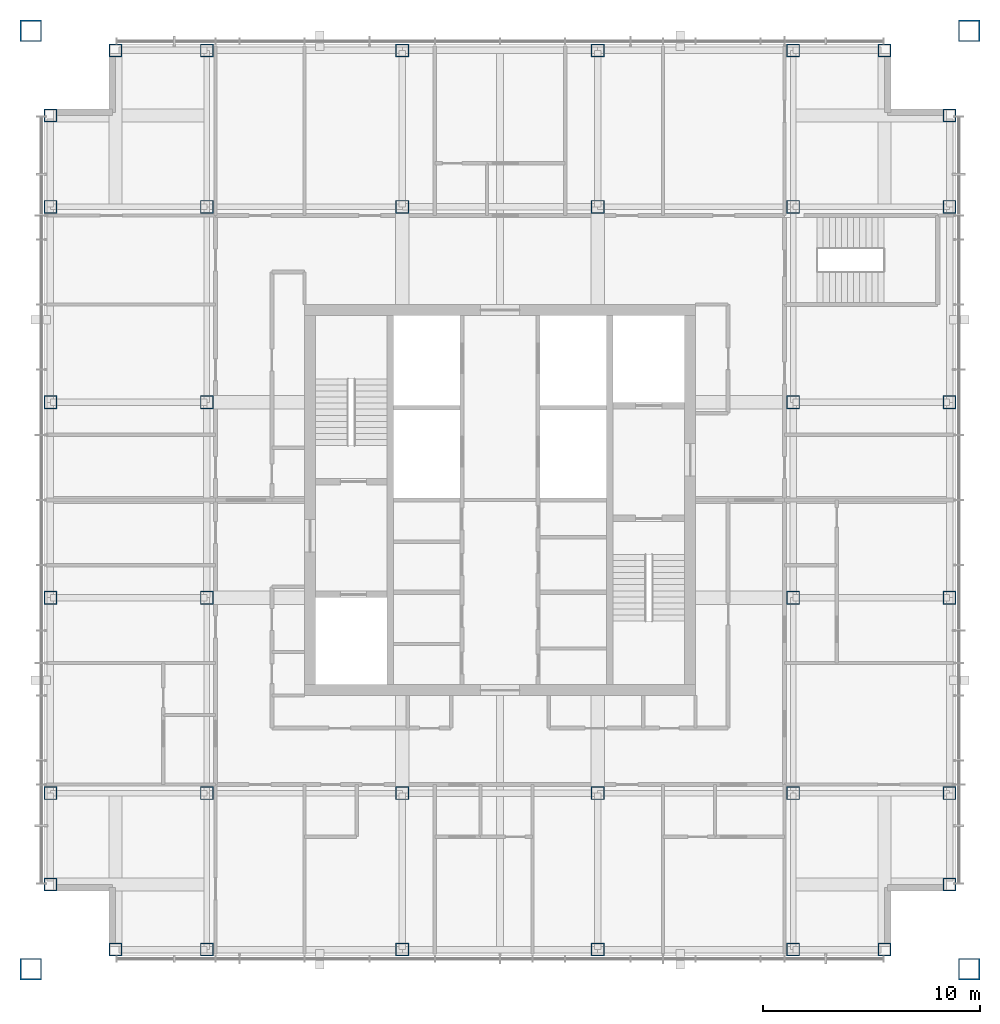
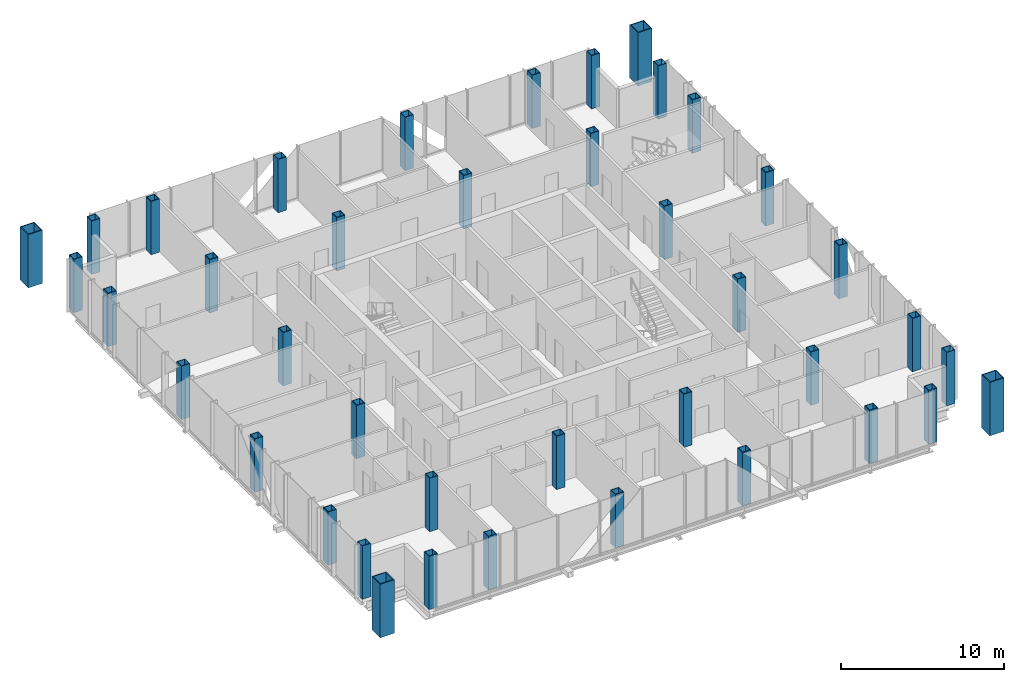
# One storey, part 1 of 12: 40 columns.
"""IFC4 building model written with IfcOpenShell, lengths in metres."""

from ifc_helpers import new_model, si_unit, direction, frame, origin, origin_2d, place, context, subcontext, project, spatial, hollow_rectangle, extrude, material, material_profile, profile_set, type_object, element, save


model = new_model("IFC4")

# Units and contexts
model_context = context("Model", 3, precision=1e-05, world=origin(), true_north=direction((0.0, 1.0)))
body_context = subcontext(model_context, "Body", "Model", "MODEL_VIEW")
ifc_project = project(units=[si_unit("LENGTHUNIT", "METRE"), si_unit("AREAUNIT", "SQUARE_METRE"), si_unit("VOLUMEUNIT", "CUBIC_METRE"), si_unit("PLANEANGLEUNIT", "RADIAN"), si_unit("MASSUNIT", "GRAM", prefix="KILO")], contexts=[model_context])

# Site, building, storey
site_placement = place(None, origin())
site = spatial("IfcSite", under=ifc_project, at=site_placement, CompositionType="ELEMENT")
building_placement = place(site_placement, origin())
building = spatial("IfcBuilding", under=site, at=building_placement, Name="Malebo Sky Hospital", CompositionType="ELEMENT")
storey_placement = place(building_placement, frame((0.0, 0.0, 262.0)))
storey = spatial("IfcBuildingStorey", under=building, at=storey_placement, Name="L63", CompositionType="ELEMENT", Elevation=262.0)

# Columns
ifc_material = material(Name="Steel S460", Category="steel")
ifc_material_profile_1 = material_profile(ifc_material, hollow_rectangle(XDim=0.60009765625, YDim=0.60009765625, WallThickness=0.0400390625, at=origin_2d()), Name="BOX 600x600x40")
ifc_profile_set_1 = profile_set([ifc_material_profile_1], Name="Steel S460")
column_type_1 = type_object("IfcColumnType", Name="INNER COLUMN BOX 600x600x40", PredefinedType="COLUMN", material=ifc_profile_set_1)
for number, where, z_axis, x_axis, name in (
    (1, (46.5, 48.5, 0.0), (0.0, 0.0, 1.0), (1.0, 0.0, 0.0), "Column IC4 L63"),
    (2, (73.5, 48.5, 0.0), (0.0, 0.0, 1.0), (1.0, 0.0, 0.0), "Column IC4 L63"),
    (3, (73.5, 75.5, 0.0), (0.0, 0.0, 1.0), (1.0, 0.0, 0.0), "Column IC4 L63"),
    (4, (46.5, 75.5, 0.0), (0.0, 0.0, 1.0), (1.0, 0.0, 0.0), "Column IC4 L63"),
    (5, (55.5, 48.5, 0.0), (0.0, 0.0, 1.0), (1.0, 0.0, 0.0), "Column IC4 L63"),
    (6, (64.5, 48.5, 0.0), (0.0, 0.0, 1.0), (1.0, 0.0, 0.0), "Column IC4 L63"),
    (7, (55.5, 75.5, 0.0), (0.0, 0.0, 1.0), (1.0, 0.0, 0.0), "Column IC4 L63"),
    (8, (64.5, 75.5, 0.0), (0.0, 0.0, 1.0), (1.0, 0.0, 0.0), "Column IC4 L63"),
    (9, (46.5, 57.5, 0.0), (0.0, 0.0, 1.0), (1.0, 0.0, 0.0), "Column IC4 L63"),
    (10, (46.5, 66.5, 0.0), (0.0, 0.0, 1.0), (1.0, 0.0, 0.0), "Column IC4 L63"),
    (11, (73.5, 57.5, 0.0), (0.0, 0.0, 1.0), (1.0, 0.0, 0.0), "Column IC4 L63"),
    (12, (73.5, 66.5, 0.0), (0.0, 0.0, 1.0), (1.0, 0.0, 0.0), "Column IC4 L63"),
):
    element("IfcColumn", number, at=place(storey_placement, frame(where, z_axis=z_axis, x_axis=x_axis)), inside=storey, type_object=column_type_1, Name=name, PredefinedType="COLUMN", context=body_context, shape_type="SweptSolid", body=[
        extrude(hollow_rectangle(XDim=0.60009765625, YDim=0.60009765625, WallThickness=0.0400390625, at=origin_2d()), origin(), (0.0, 0.0, 1.0), 4.0),
    ])
ifc_material_profile_2 = material_profile(ifc_material, hollow_rectangle(XDim=1.0, YDim=1.0, WallThickness=0.06005859375, at=origin_2d()), Name="BOX 1000x1000x60")
ifc_profile_set_2 = profile_set([ifc_material_profile_2], Name="Steel S460")
column_type_2 = type_object("IfcColumnType", Name="MEGA COLUMN BOX 1000x1000x60", PredefinedType="COLUMN", material=ifc_profile_set_2)
for number, where, z_axis, x_axis, name in (
    (13, (38.39990234375, 40.39990234375, 0.0), (0.0, 0.0, 1.0), (1.0, 0.0, 0.0), "Mega column SW L63"),
    (14, (81.60009765625, 40.39990234375, 0.0), (0.0, 0.0, 1.0), (1.0, 0.0, 0.0), "Mega column SE L63"),
    (15, (81.60009765625, 83.60009765625, 0.0), (0.0, 0.0, 1.0), (1.0, 0.0, 0.0), "Mega column NE L63"),
    (16, (38.39990234375, 83.60009765625, 0.0), (0.0, 0.0, 1.0), (1.0, 0.0, 0.0), "Mega column NW L63"),
):
    element("IfcColumn", number, at=place(storey_placement, frame(where, z_axis=z_axis, x_axis=x_axis)), inside=storey, type_object=column_type_2, Name=name, PredefinedType="COLUMN", context=body_context, shape_type="SweptSolid", body=[
        extrude(hollow_rectangle(XDim=1.0, YDim=1.0, WallThickness=0.06005859375, at=origin_2d()), origin(), (0.0, 0.0, 1.0), 4.0),
    ])
ifc_material_profile_3 = material_profile(ifc_material, hollow_rectangle(XDim=0.60009765625, YDim=0.60009765625, WallThickness=0.0400390625, at=origin_2d()), Name="BOX 600x600x40")
ifc_profile_set_3 = profile_set([ifc_material_profile_3], Name="Steel S460")
column_type_3 = type_object("IfcColumnType", Name="PERIMETER COLUMN BOX 600x600x40", PredefinedType="COLUMN", material=ifc_profile_set_3)
for number, where, z_axis, x_axis, name in (
    (17, (42.300048828125, 41.300048828125, 0.0), (0.0, 0.0, 1.0), (1.0, 0.0, 0.0), "Column PC4 L63"),
    (18, (42.300048828125, 82.699951171875, 0.0), (0.0, 0.0, 1.0), (1.0, 0.0, 0.0), "Column PC4 L63"),
    (19, (39.300048828125, 44.300048828125, 0.0), (0.0, 0.0, 1.0), (1.0, 0.0, 0.0), "Column PC4 L63"),
    (20, (80.699951171875, 44.300048828125, 0.0), (0.0, 0.0, 1.0), (1.0, 0.0, 0.0), "Column PC4 L63"),
    (21, (46.5, 41.300048828125, 0.0), (0.0, 0.0, 1.0), (1.0, 0.0, 0.0), "Column PC4 L63"),
    (22, (46.5, 82.699951171875, 0.0), (0.0, 0.0, 1.0), (1.0, 0.0, 0.0), "Column PC4 L63"),
    (23, (39.300048828125, 48.5, 0.0), (0.0, 0.0, 1.0), (1.0, 0.0, 0.0), "Column PC4 L63"),
    (24, (80.699951171875, 48.5, 0.0), (0.0, 0.0, 1.0), (1.0, 0.0, 0.0), "Column PC4 L63"),
    (25, (55.5, 41.300048828125, 0.0), (0.0, 0.0, 1.0), (1.0, 0.0, 0.0), "Column PC4 L63"),
    (26, (55.5, 82.699951171875, 0.0), (0.0, 0.0, 1.0), (1.0, 0.0, 0.0), "Column PC4 L63"),
    (27, (39.300048828125, 57.5, 0.0), (0.0, 0.0, 1.0), (1.0, 0.0, 0.0), "Column PC4 L63"),
    (28, (80.699951171875, 57.5, 0.0), (0.0, 0.0, 1.0), (1.0, 0.0, 0.0), "Column PC4 L63"),
    (29, (64.5, 41.300048828125, 0.0), (0.0, 0.0, 1.0), (1.0, 0.0, 0.0), "Column PC4 L63"),
    (30, (64.5, 82.699951171875, 0.0), (0.0, 0.0, 1.0), (1.0, 0.0, 0.0), "Column PC4 L63"),
    (31, (39.300048828125, 66.5, 0.0), (0.0, 0.0, 1.0), (1.0, 0.0, 0.0), "Column PC4 L63"),
    (32, (80.699951171875, 66.5, 0.0), (0.0, 0.0, 1.0), (1.0, 0.0, 0.0), "Column PC4 L63"),
    (33, (73.5, 41.300048828125, 0.0), (0.0, 0.0, 1.0), (1.0, 0.0, 0.0), "Column PC4 L63"),
    (34, (73.5, 82.699951171875, 0.0), (0.0, 0.0, 1.0), (1.0, 0.0, 0.0), "Column PC4 L63"),
    (35, (39.300048828125, 75.5, 0.0), (0.0, 0.0, 1.0), (1.0, 0.0, 0.0), "Column PC4 L63"),
    (36, (80.699951171875, 75.5, 0.0), (0.0, 0.0, 1.0), (1.0, 0.0, 0.0), "Column PC4 L63"),
    (37, (77.699951171875, 41.300048828125, 0.0), (0.0, 0.0, 1.0), (1.0, 0.0, 0.0), "Column PC4 L63"),
    (38, (77.699951171875, 82.699951171875, 0.0), (0.0, 0.0, 1.0), (1.0, 0.0, 0.0), "Column PC4 L63"),
    (39, (39.300048828125, 79.699951171875, 0.0), (0.0, 0.0, 1.0), (1.0, 0.0, 0.0), "Column PC4 L63"),
    (40, (80.699951171875, 79.699951171875, 0.0), (0.0, 0.0, 1.0), (1.0, 0.0, 0.0), "Column PC4 L63"),
):
    element("IfcColumn", number, at=place(storey_placement, frame(where, z_axis=z_axis, x_axis=x_axis)), inside=storey, type_object=column_type_3, Name=name, PredefinedType="COLUMN", context=body_context, shape_type="SweptSolid", body=[
        extrude(hollow_rectangle(XDim=0.60009765625, YDim=0.60009765625, WallThickness=0.0400390625, at=origin_2d()), origin(), (0.0, 0.0, 1.0), 4.0),
    ])

save(model, "model.ifc")
